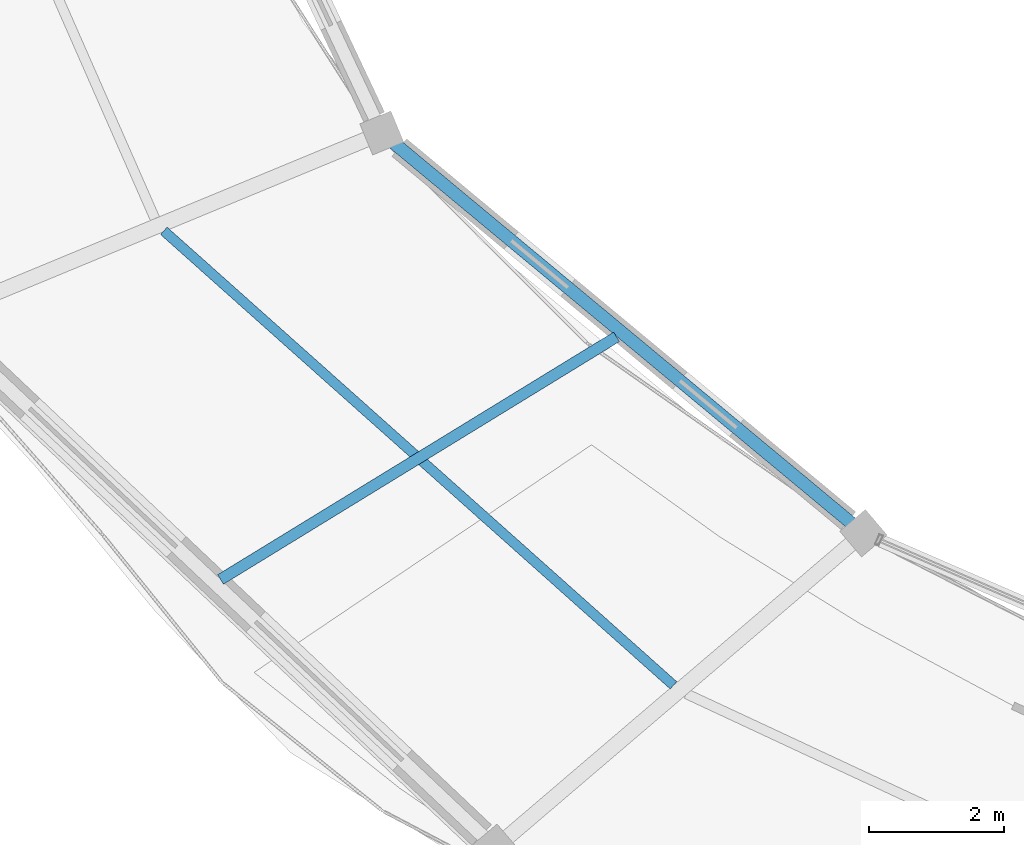
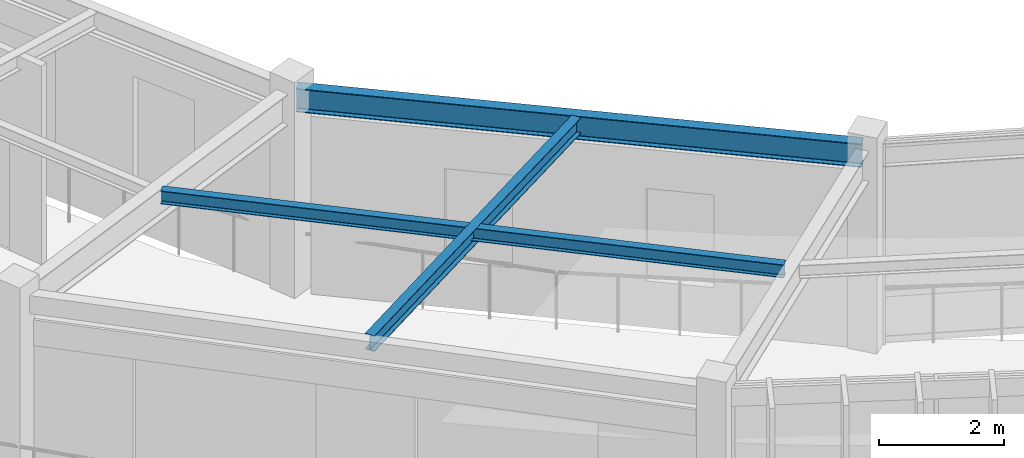
# One storey, part 9 of 78: 3 beams.
"""IFC4 building model written with IfcOpenShell, lengths in metres."""

from ifc_helpers import new_model, si_unit, direction, frame, origin, origin_2d, place, context, subcontext, project, spatial, i_section, extrude, material, material_profile, profile_set, type_object, element, save


model = new_model("IFC4")

# Units and contexts
model_context = context("Model", 3, precision=1e-05, world=origin(), true_north=direction((0.0, 1.0)))
body_context = subcontext(model_context, "Body", "Model", "MODEL_VIEW")
ifc_project = project(units=[si_unit("LENGTHUNIT", "METRE"), si_unit("AREAUNIT", "SQUARE_METRE"), si_unit("VOLUMEUNIT", "CUBIC_METRE"), si_unit("PLANEANGLEUNIT", "RADIAN"), si_unit("MASSUNIT", "GRAM", prefix="KILO"), si_unit("THERMODYNAMICTEMPERATUREUNIT", "KELVIN"), si_unit("POWERUNIT", "WATT")], contexts=[model_context])

# Site, building, storey
site_placement = place(None, origin())
site = spatial("IfcSite", under=ifc_project, at=site_placement, CompositionType="ELEMENT")
building_placement = place(site_placement, origin())
building = spatial("IfcBuilding", under=site, at=building_placement, Name="Darbajah Civic Hall", CompositionType="ELEMENT")
storey_placement = place(building_placement, frame((0.0, 0.0, 26.39990234375)))
storey = spatial("IfcBuildingStorey", under=building, at=storey_placement, Name="L06", CompositionType="ELEMENT", Elevation=26.39990234375)

# Beams
ifc_material = material(Name="Steel S355JR", Category="steel")
ifc_material_profile_1 = material_profile(ifc_material, i_section(OverallWidth=0.146484375, OverallDepth=0.256103515625, WebThickness=0.00634765625, FlangeThickness=0.010986328125, FilletRadius=0.007568359375, at=origin_2d()), Name="UB 254x146x37")
ifc_profile_set_1 = profile_set([ifc_material_profile_1], Name="Steel S355JR")
beam_type_1 = type_object("IfcBeamType", Name="UB 254x146x37", PredefinedType="JOIST", material=ifc_profile_set_1)
beam_1_placement = place(storey_placement, frame((45.394775390625, 79.811279296875, 3.7919921875), z_axis=(0.74637325764, -0.665527580405, 0.0), x_axis=(0.665527580405, 0.74637325764, 0.0)))
element("IfcBeam", 1, at=beam_1_placement, inside=storey, type_object=beam_type_1, Name="L06 beam SJ-254", PredefinedType="JOIST", context=body_context, shape_type="SweptSolid", body=[
    extrude(i_section(OverallWidth=0.146484375, OverallDepth=0.256103515625, WebThickness=0.00634765625, FlangeThickness=0.010986328125, FilletRadius=0.007568359375, at=origin_2d()), origin(), (0.0, 0.0, 1.0), 10.149658203125),
])
ifc_material_profile_2 = material_profile(ifc_material, i_section(OverallWidth=0.165771484375, OverallDepth=0.306640625, WebThickness=0.006591796875, FlangeThickness=0.01171875, FilletRadius=0.0087890625, at=origin_2d()), Name="UB 305x165x46")
ifc_profile_set_2 = profile_set([ifc_material_profile_2], Name="Steel S355JR")
beam_type_2 = type_object("IfcBeamType", Name="UB 305x165x46", PredefinedType="JOIST", material=ifc_profile_set_2)
beam_2_placement = place(storey_placement, frame((52.123779296875, 78.236328125, 3.766845703125), z_axis=(-0.852640388105, -0.522498199588, 0.0), x_axis=(0.522498199588, -0.852640388105, 0.0)))
element("IfcBeam", 2, at=beam_2_placement, inside=storey, type_object=beam_type_2, Name="L06 beam SJ-305", PredefinedType="JOIST", context=body_context, shape_type="SweptSolid", body=[
    extrude(i_section(OverallWidth=0.165771484375, OverallDepth=0.306640625, WebThickness=0.006591796875, FlangeThickness=0.01171875, FilletRadius=0.0087890625, at=origin_2d()), origin(), (0.0, 0.0, 1.0), 6.9033203125),
])
ifc_material_profile_3 = material_profile(ifc_material, i_section(OverallWidth=0.1904296875, OverallDepth=0.45703125, WebThickness=0.009033203125, FlangeThickness=0.014404296875, FilletRadius=0.01025390625, at=origin_2d()), Name="UB 457x191x74")
ifc_profile_set_3 = profile_set([ifc_material_profile_3], Name="Steel S355JR")
beam_type_3 = type_object("IfcBeamType", Name="UB 457x191x74", PredefinedType="BEAM", material=ifc_profile_set_3)
beam_3_placement = place(storey_placement, frame((48.695556640625, 81.215087890625, 3.691650390625), z_axis=(0.769165350471, -0.63904981311, 0.0), x_axis=(0.63904981311, 0.769165350471, 0.0)))
element("IfcBeam", 3, at=beam_3_placement, inside=storey, type_object=beam_type_3, Name="L06 beam SB-457", PredefinedType="BEAM", context=body_context, shape_type="SweptSolid", body=[
    extrude(i_section(OverallWidth=0.1904296875, OverallDepth=0.45703125, WebThickness=0.009033203125, FlangeThickness=0.014404296875, FilletRadius=0.01025390625, at=origin_2d()), origin(), (0.0, 0.0, 1.0), 9.14892578125),
])

save(model, "model.ifc")
